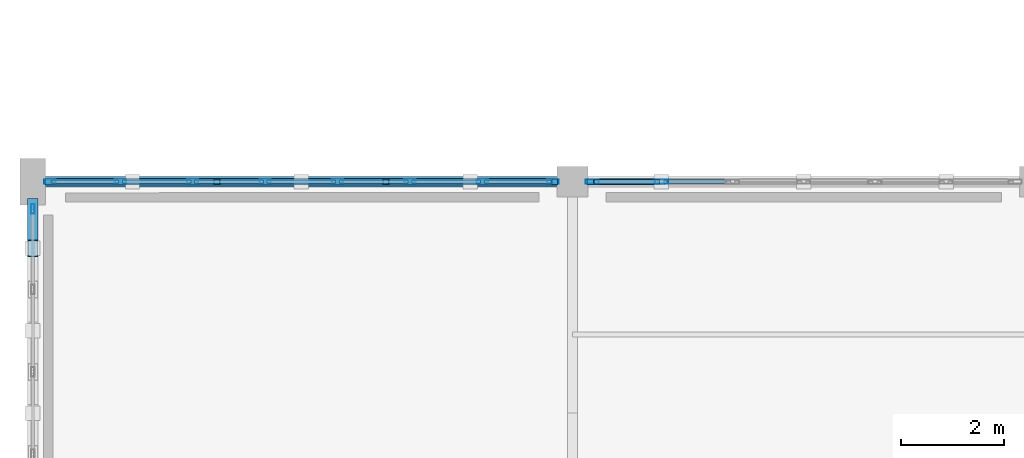
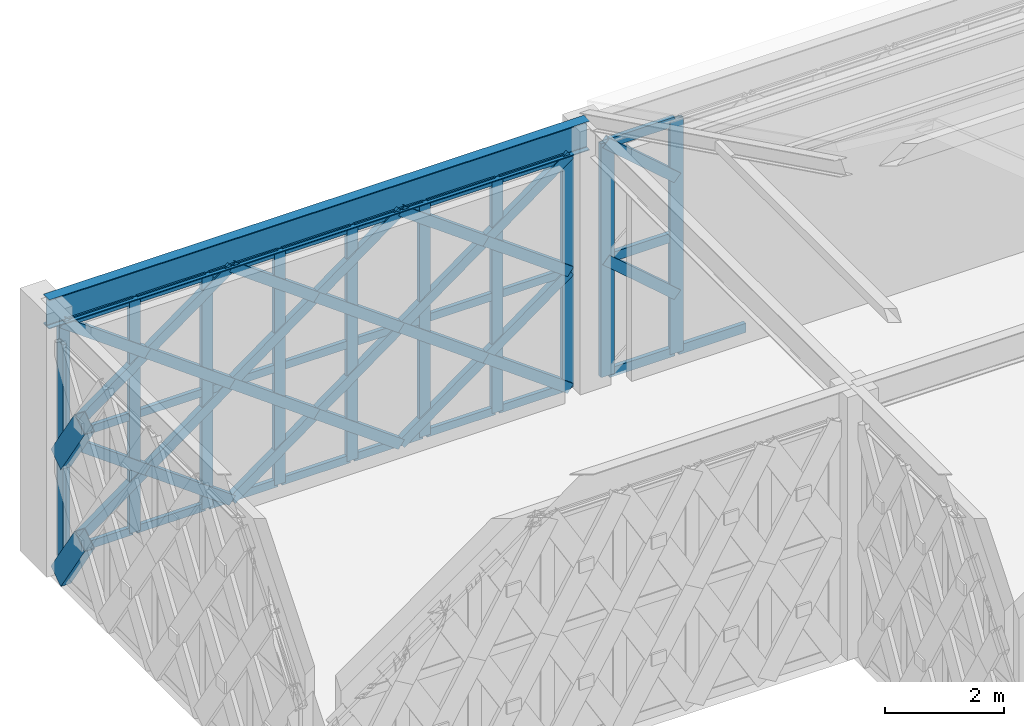
# One storey, part 10 of 32: 58 members, 1 beam, 3 elements without a shape of their own.
"""IFC4 building model written with IfcOpenShell, lengths in metres."""

from ifc_helpers import new_model, si_unit, direction, frame, origin, origin_2d, place, context, subcontext, project, spatial, hollow_rectangle, i_section, extrude, material, material_profile, profile_set, type_object, element, aggregate, save


model = new_model("IFC4")

# Units and contexts
model_context = context("Model", 3, precision=1e-05, world=origin(), true_north=direction((0.0, 1.0)))
body_context = subcontext(model_context, "Body", "Model", "MODEL_VIEW")
ifc_project = project(units=[si_unit("LENGTHUNIT", "METRE"), si_unit("AREAUNIT", "SQUARE_METRE"), si_unit("VOLUMEUNIT", "CUBIC_METRE"), si_unit("PLANEANGLEUNIT", "RADIAN"), si_unit("MASSUNIT", "GRAM", prefix="KILO")], contexts=[model_context])

# Site, building, storey
site_placement = place(None, origin())
site = spatial("IfcSite", under=ifc_project, at=site_placement, CompositionType="ELEMENT")
building_placement = place(site_placement, origin())
building = spatial("IfcBuilding", under=site, at=building_placement, Name="Haizhuo Lancet Aquarium", CompositionType="ELEMENT")
storey_placement = place(building_placement, frame((0.0, 0.0, 27.0)))
storey = spatial("IfcBuildingStorey", under=building, at=storey_placement, Name="L05", CompositionType="ELEMENT", Elevation=27.0)

# Beam
ifc_material_1 = material(Name="Steel S355", Category="steel")
ifc_material_profile_1 = material_profile(ifc_material_1, i_section(OverallWidth=0.199951171875, OverallDepth=0.60009765625, WebThickness=0.010986328125, FlangeThickness=0.01708984375, FilletRadius=0.02197265625, at=origin_2d()), Name="HN 600x200x11x17")
ifc_profile_set_1 = profile_set([ifc_material_profile_1], Name="Steel S355")
beam_type = type_object("IfcBeamType", Name="BM-ST-HN600", PredefinedType="BEAM", material=ifc_profile_set_1)
beam_placement = place(storey_placement, frame((-82.5, -9.0, 5.10009765625), z_axis=(1.0, 0.0, 0.0), x_axis=(0.0, 1.0, 0.0)))
element("IfcBeam", 1, at=beam_placement, inside=storey, type_object=beam_type, Name="L05 V6 primary girder BM-L05-V6-003", PredefinedType="BEAM", context=body_context, shape_type="SweptSolid", body=[
    extrude(i_section(OverallWidth=0.199951171875, OverallDepth=0.60009765625, WebThickness=0.010986328125, FlangeThickness=0.01708984375, FilletRadius=0.02197265625, at=origin_2d()), origin(), (0.0, 0.0, 1.0), 10.5),
])

# Curtain wall, member
ifc_material_2 = material(Name="Aluminium 6063-T6", Category="aluminium")
curtain_wall_type_1 = type_object("IfcCurtainWallType", Name="CWD-8010x4800", PredefinedType="NOTDEFINED", material=ifc_material_2)
curtain_wall_1_placement = place(storey_placement, origin())
curtain_wall_1 = element("IfcCurtainWall", 2, at=curtain_wall_1_placement, inside=storey, type_object=curtain_wall_type_1, Name="L05 curtain wall CW-V6-L05-259", PredefinedType="NOTDEFINED")
ifc_material_profile_2 = material_profile(ifc_material_2, hollow_rectangle(XDim=0.06494140625, YDim=0.179931640625, WallThickness=0.00390625, at=origin_2d()), Name="ALU-M 65x180x4")
ifc_profile_set_2 = profile_set([ifc_material_profile_2], Name="Aluminium 6063-T6")
member_type_1 = type_object("IfcMemberType", Name="CW-MUL-1", PredefinedType="MULLION", material=ifc_profile_set_2)
member_1_placement = place(storey_placement, frame((-82.5, -9.527099609375, 0.0), z_axis=(0.0, 0.0, 1.0), x_axis=(-1.0, 0.0, 0.0)))
member_1 = element("IfcMember", 3, at=member_1_placement, type_object=member_type_1, Name="CWD-80x48 mullion 6", PredefinedType="MULLION", context=body_context, shape_type="SweptSolid", body=[
    extrude(hollow_rectangle(XDim=0.06494140625, YDim=0.179931640625, WallThickness=0.00390625, at=origin_2d()), origin(), (0.0, 0.0, 1.0), 4.800048828125),
])
aggregate(curtain_wall_1, [member_1])

# Curtain wall, members
curtain_wall_type_2 = type_object("IfcCurtainWallType", Name="CWO-9860x4800", PredefinedType="NOTDEFINED", material=ifc_material_2)
curtain_wall_2_placement = place(storey_placement, origin())
curtain_wall_2 = element("IfcCurtainWall", 4, at=curtain_wall_2_placement, inside=storey, type_object=curtain_wall_type_2, Name="L05 curtain wall CW-V6-L05-260", PredefinedType="NOTDEFINED")
ifc_material_profile_3 = material_profile(ifc_material_2, hollow_rectangle(XDim=0.074951171875, YDim=0.219970703125, WallThickness=0.0048828125, at=origin_2d()), Name="ALU-M 75x220x5")
ifc_profile_set_3 = profile_set([ifc_material_profile_3], Name="Aluminium 6063-T6")
member_type_2 = type_object("IfcMemberType", Name="CW-MUL-2", PredefinedType="MULLION", material=ifc_profile_set_3)
member_2_placement = place(storey_placement, frame((-82.16796875, -9.0, 0.0), z_axis=(0.0, 0.0, 1.0), x_axis=(0.0, 1.0, 0.0)))
member_2 = element("IfcMember", 5, at=member_2_placement, type_object=member_type_2, Name="CWO-98x48 mullion 1", PredefinedType="MULLION", context=body_context, shape_type="SweptSolid", body=[
    extrude(hollow_rectangle(XDim=0.074951171875, YDim=0.219970703125, WallThickness=0.0048828125, at=origin_2d()), origin(), (0.0, 0.0, 1.0), 4.800048828125),
])
member_3_placement = place(storey_placement, frame((-80.7958984375, -9.0, 0.0), z_axis=(0.0, 0.0, 1.0), x_axis=(0.0, 1.0, 0.0)))
member_3 = element("IfcMember", 6, at=member_3_placement, type_object=member_type_2, Name="CWO-98x48 mullion 2", PredefinedType="MULLION", context=body_context, shape_type="SweptSolid", body=[
    extrude(hollow_rectangle(XDim=0.074951171875, YDim=0.219970703125, WallThickness=0.0048828125, at=origin_2d()), origin(), (0.0, 0.0, 1.0), 4.800048828125),
])
member_4_placement = place(storey_placement, frame((-79.387939453125, -9.0, 0.0), z_axis=(0.0, 0.0, 1.0), x_axis=(0.0, 1.0, 0.0)))
member_4 = element("IfcMember", 7, at=member_4_placement, type_object=member_type_2, Name="CWO-98x48 mullion 3", PredefinedType="MULLION", context=body_context, shape_type="SweptSolid", body=[
    extrude(hollow_rectangle(XDim=0.074951171875, YDim=0.219970703125, WallThickness=0.0048828125, at=origin_2d()), origin(), (0.0, 0.0, 1.0), 4.800048828125),
])
member_5_placement = place(storey_placement, frame((-77.97900390625, -9.0, 0.0), z_axis=(0.0, 0.0, 1.0), x_axis=(0.0, 1.0, 0.0)))
member_5 = element("IfcMember", 8, at=member_5_placement, type_object=member_type_2, Name="CWO-98x48 mullion 4", PredefinedType="MULLION", context=body_context, shape_type="SweptSolid", body=[
    extrude(hollow_rectangle(XDim=0.074951171875, YDim=0.219970703125, WallThickness=0.0048828125, at=origin_2d()), origin(), (0.0, 0.0, 1.0), 4.800048828125),
])
member_6_placement = place(storey_placement, frame((-76.571044921875, -9.0, 0.0), z_axis=(0.0, 0.0, 1.0), x_axis=(0.0, 1.0, 0.0)))
member_6 = element("IfcMember", 9, at=member_6_placement, type_object=member_type_2, Name="CWO-98x48 mullion 5", PredefinedType="MULLION", context=body_context, shape_type="SweptSolid", body=[
    extrude(hollow_rectangle(XDim=0.074951171875, YDim=0.219970703125, WallThickness=0.0048828125, at=origin_2d()), origin(), (0.0, 0.0, 1.0), 4.800048828125),
])
member_7_placement = place(storey_placement, frame((-75.162109375, -9.0, 0.0), z_axis=(0.0, 0.0, 1.0), x_axis=(0.0, 1.0, 0.0)))
member_7 = element("IfcMember", 10, at=member_7_placement, type_object=member_type_2, Name="CWO-98x48 mullion 6", PredefinedType="MULLION", context=body_context, shape_type="SweptSolid", body=[
    extrude(hollow_rectangle(XDim=0.074951171875, YDim=0.219970703125, WallThickness=0.0048828125, at=origin_2d()), origin(), (0.0, 0.0, 1.0), 4.800048828125),
])
member_8_placement = place(storey_placement, frame((-73.75390625, -9.0, 0.0), z_axis=(0.0, 0.0, 1.0), x_axis=(0.0, 1.0, 0.0)))
member_8 = element("IfcMember", 11, at=member_8_placement, type_object=member_type_2, Name="CWO-98x48 mullion 7", PredefinedType="MULLION", context=body_context, shape_type="SweptSolid", body=[
    extrude(hollow_rectangle(XDim=0.074951171875, YDim=0.219970703125, WallThickness=0.0048828125, at=origin_2d()), origin(), (0.0, 0.0, 1.0), 4.800048828125),
])
member_9_placement = place(storey_placement, frame((-72.382080078125, -9.0, 0.0), z_axis=(0.0, 0.0, 1.0), x_axis=(0.0, 1.0, 0.0)))
member_9 = element("IfcMember", 12, at=member_9_placement, type_object=member_type_2, Name="CWO-98x48 mullion 8", PredefinedType="MULLION", context=body_context, shape_type="SweptSolid", body=[
    extrude(hollow_rectangle(XDim=0.074951171875, YDim=0.219970703125, WallThickness=0.0048828125, at=origin_2d()), origin(), (0.0, 0.0, 1.0), 4.800048828125),
])

curtain_wall_type_3 = type_object("IfcCurtainWallType", Name="CWO-8310x4800", PredefinedType="NOTDEFINED", material=ifc_material_2)
curtain_wall_3_placement = place(storey_placement, origin())
curtain_wall_3 = element("IfcCurtainWall", 13, at=curtain_wall_3_placement, inside=storey, type_object=curtain_wall_type_3, Name="L05 curtain wall CW-V6-L05-261", PredefinedType="NOTDEFINED")
ifc_material_profile_4 = material_profile(ifc_material_2, hollow_rectangle(XDim=0.080078125, YDim=0.260009765625, WallThickness=0.0048828125, at=origin_2d()), Name="ALU-M 80x260x5")
ifc_profile_set_4 = profile_set([ifc_material_profile_4], Name="Aluminium 6063-T6")
member_type_3 = type_object("IfcMemberType", Name="CW-MUL-3", PredefinedType="MULLION", material=ifc_profile_set_4)
member_10_placement = place(storey_placement, frame((-71.614990234375, -9.0, 0.0), z_axis=(0.0, 0.0, 1.0), x_axis=(0.0, 1.0, 0.0)))
member_10 = element("IfcMember", 14, at=member_10_placement, type_object=member_type_3, Name="CWO-83x48 mullion 1", PredefinedType="MULLION", context=body_context, shape_type="SweptSolid", body=[
    extrude(hollow_rectangle(XDim=0.080078125, YDim=0.260009765625, WallThickness=0.0048828125, at=origin_2d()), origin(), (0.0, 0.0, 1.0), 4.800048828125),
])
member_11_placement = place(storey_placement, frame((-70.27001953125, -9.0, 0.0), z_axis=(0.0, 0.0, 1.0), x_axis=(0.0, 1.0, 0.0)))
member_11 = element("IfcMember", 15, at=member_11_placement, type_object=member_type_3, Name="CWO-83x48 mullion 2", PredefinedType="MULLION", context=body_context, shape_type="SweptSolid", body=[
    extrude(hollow_rectangle(XDim=0.080078125, YDim=0.260009765625, WallThickness=0.0048828125, at=origin_2d()), origin(), (0.0, 0.0, 1.0), 4.800048828125),
])

# Member
ifc_material_profile_5 = material_profile(ifc_material_2, hollow_rectangle(XDim=0.074951171875, YDim=0.159912109375, WallThickness=0.00390625, at=origin_2d()), Name="ALU-T 75x160x4")
ifc_profile_set_5 = profile_set([ifc_material_profile_5], Name="Aluminium 6063-T6")
member_type_4 = type_object("IfcMemberType", Name="CW-TRN-2", PredefinedType="NOTDEFINED", material=ifc_profile_set_5)
member_12_placement = place(storey_placement, frame((-82.1298828125, -9.0, 0.0380859375), z_axis=(1.0, 0.0, 0.0), x_axis=(0.0, 1.0, 0.0)))
member_12 = element("IfcMember", 16, at=member_12_placement, type_object=member_type_4, Name="CWO-98x48 transom 1.1", ObjectType="TRANSOM", PredefinedType="USERDEFINED", context=body_context, shape_type="SweptSolid", body=[
    extrude(hollow_rectangle(XDim=0.074951171875, YDim=0.159912109375, WallThickness=0.00390625, at=origin_2d()), origin(), (0.0, 0.0, 1.0), 1.2958984375),
])

member_13_placement = place(storey_placement, frame((-82.1298828125, -9.0, 2.39990234375), z_axis=(1.0, 0.0, 0.0), x_axis=(0.0, 1.0, 0.0)))
member_13 = element("IfcMember", 17, at=member_13_placement, type_object=member_type_4, Name="CWO-98x48 transom 1.2", ObjectType="TRANSOM", PredefinedType="USERDEFINED", context=body_context, shape_type="SweptSolid", body=[
    extrude(hollow_rectangle(XDim=0.074951171875, YDim=0.159912109375, WallThickness=0.00390625, at=origin_2d()), origin(), (0.0, 0.0, 1.0), 1.2958984375),
])

member_14_placement = place(storey_placement, frame((-82.1298828125, -9.0, 4.761962890625), z_axis=(1.0, 0.0, 0.0), x_axis=(0.0, 1.0, 0.0)))
member_14 = element("IfcMember", 18, at=member_14_placement, type_object=member_type_4, Name="CWO-98x48 transom 1.3", ObjectType="TRANSOM", PredefinedType="USERDEFINED", context=body_context, shape_type="SweptSolid", body=[
    extrude(hollow_rectangle(XDim=0.074951171875, YDim=0.159912109375, WallThickness=0.00390625, at=origin_2d()), origin(), (0.0, 0.0, 1.0), 1.2958984375),
])

member_15_placement = place(storey_placement, frame((-80.759033203125, -9.0, 0.0380859375), z_axis=(1.0, 0.0, 0.0), x_axis=(0.0, 1.0, 0.0)))
member_15 = element("IfcMember", 19, at=member_15_placement, type_object=member_type_4, Name="CWO-98x48 transom 2.1", ObjectType="TRANSOM", PredefinedType="USERDEFINED", context=body_context, shape_type="SweptSolid", body=[
    extrude(hollow_rectangle(XDim=0.074951171875, YDim=0.159912109375, WallThickness=0.00390625, at=origin_2d()), origin(), (0.0, 0.0, 1.0), 1.333984375),
])

member_16_placement = place(storey_placement, frame((-80.759033203125, -9.0, 2.39990234375), z_axis=(1.0, 0.0, 0.0), x_axis=(0.0, 1.0, 0.0)))
member_16 = element("IfcMember", 20, at=member_16_placement, type_object=member_type_4, Name="CWO-98x48 transom 2.2", ObjectType="TRANSOM", PredefinedType="USERDEFINED", context=body_context, shape_type="SweptSolid", body=[
    extrude(hollow_rectangle(XDim=0.074951171875, YDim=0.159912109375, WallThickness=0.00390625, at=origin_2d()), origin(), (0.0, 0.0, 1.0), 1.333984375),
])

member_17_placement = place(storey_placement, frame((-80.759033203125, -9.0, 4.761962890625), z_axis=(1.0, 0.0, 0.0), x_axis=(0.0, 1.0, 0.0)))
member_17 = element("IfcMember", 21, at=member_17_placement, type_object=member_type_4, Name="CWO-98x48 transom 2.3", ObjectType="TRANSOM", PredefinedType="USERDEFINED", context=body_context, shape_type="SweptSolid", body=[
    extrude(hollow_rectangle(XDim=0.074951171875, YDim=0.159912109375, WallThickness=0.00390625, at=origin_2d()), origin(), (0.0, 0.0, 1.0), 1.333984375),
])

member_18_placement = place(storey_placement, frame((-79.35009765625, -9.0, 0.0380859375), z_axis=(1.0, 0.0, 0.0), x_axis=(0.0, 1.0, 0.0)))
member_18 = element("IfcMember", 22, at=member_18_placement, type_object=member_type_4, Name="CWO-98x48 transom 3.1", ObjectType="TRANSOM", PredefinedType="USERDEFINED", context=body_context, shape_type="SweptSolid", body=[
    extrude(hollow_rectangle(XDim=0.074951171875, YDim=0.159912109375, WallThickness=0.00390625, at=origin_2d()), origin(), (0.0, 0.0, 1.0), 1.3330078125),
])

member_19_placement = place(storey_placement, frame((-79.35009765625, -9.0, 2.39990234375), z_axis=(1.0, 0.0, 0.0), x_axis=(0.0, 1.0, 0.0)))
member_19 = element("IfcMember", 23, at=member_19_placement, type_object=member_type_4, Name="CWO-98x48 transom 3.2", ObjectType="TRANSOM", PredefinedType="USERDEFINED", context=body_context, shape_type="SweptSolid", body=[
    extrude(hollow_rectangle(XDim=0.074951171875, YDim=0.159912109375, WallThickness=0.00390625, at=origin_2d()), origin(), (0.0, 0.0, 1.0), 1.3330078125),
])

member_20_placement = place(storey_placement, frame((-79.35009765625, -9.0, 4.761962890625), z_axis=(1.0, 0.0, 0.0), x_axis=(0.0, 1.0, 0.0)))
member_20 = element("IfcMember", 24, at=member_20_placement, type_object=member_type_4, Name="CWO-98x48 transom 3.3", ObjectType="TRANSOM", PredefinedType="USERDEFINED", context=body_context, shape_type="SweptSolid", body=[
    extrude(hollow_rectangle(XDim=0.074951171875, YDim=0.159912109375, WallThickness=0.00390625, at=origin_2d()), origin(), (0.0, 0.0, 1.0), 1.3330078125),
])

member_21_placement = place(storey_placement, frame((-77.94189453125, -9.0, 0.0380859375), z_axis=(1.0, 0.0, 0.0), x_axis=(0.0, 1.0, 0.0)))
member_21 = element("IfcMember", 25, at=member_21_placement, type_object=member_type_4, Name="CWO-98x48 transom 4.1", ObjectType="TRANSOM", PredefinedType="USERDEFINED", context=body_context, shape_type="SweptSolid", body=[
    extrude(hollow_rectangle(XDim=0.074951171875, YDim=0.159912109375, WallThickness=0.00390625, at=origin_2d()), origin(), (0.0, 0.0, 1.0), 1.333984375),
])

member_22_placement = place(storey_placement, frame((-77.94189453125, -9.0, 2.39990234375), z_axis=(1.0, 0.0, 0.0), x_axis=(0.0, 1.0, 0.0)))
member_22 = element("IfcMember", 26, at=member_22_placement, type_object=member_type_4, Name="CWO-98x48 transom 4.2", ObjectType="TRANSOM", PredefinedType="USERDEFINED", context=body_context, shape_type="SweptSolid", body=[
    extrude(hollow_rectangle(XDim=0.074951171875, YDim=0.159912109375, WallThickness=0.00390625, at=origin_2d()), origin(), (0.0, 0.0, 1.0), 1.333984375),
])

member_23_placement = place(storey_placement, frame((-77.94189453125, -9.0, 4.761962890625), z_axis=(1.0, 0.0, 0.0), x_axis=(0.0, 1.0, 0.0)))
member_23 = element("IfcMember", 27, at=member_23_placement, type_object=member_type_4, Name="CWO-98x48 transom 4.3", ObjectType="TRANSOM", PredefinedType="USERDEFINED", context=body_context, shape_type="SweptSolid", body=[
    extrude(hollow_rectangle(XDim=0.074951171875, YDim=0.159912109375, WallThickness=0.00390625, at=origin_2d()), origin(), (0.0, 0.0, 1.0), 1.333984375),
])

member_24_placement = place(storey_placement, frame((-76.532958984375, -9.0, 0.0380859375), z_axis=(1.0, 0.0, 0.0), x_axis=(0.0, 1.0, 0.0)))
member_24 = element("IfcMember", 28, at=member_24_placement, type_object=member_type_4, Name="CWO-98x48 transom 5.1", ObjectType="TRANSOM", PredefinedType="USERDEFINED", context=body_context, shape_type="SweptSolid", body=[
    extrude(hollow_rectangle(XDim=0.074951171875, YDim=0.159912109375, WallThickness=0.00390625, at=origin_2d()), origin(), (0.0, 0.0, 1.0), 1.3330078125),
])

member_25_placement = place(storey_placement, frame((-76.532958984375, -9.0, 2.39990234375), z_axis=(1.0, 0.0, 0.0), x_axis=(0.0, 1.0, 0.0)))
member_25 = element("IfcMember", 29, at=member_25_placement, type_object=member_type_4, Name="CWO-98x48 transom 5.2", ObjectType="TRANSOM", PredefinedType="USERDEFINED", context=body_context, shape_type="SweptSolid", body=[
    extrude(hollow_rectangle(XDim=0.074951171875, YDim=0.159912109375, WallThickness=0.00390625, at=origin_2d()), origin(), (0.0, 0.0, 1.0), 1.3330078125),
])

member_26_placement = place(storey_placement, frame((-76.532958984375, -9.0, 4.761962890625), z_axis=(1.0, 0.0, 0.0), x_axis=(0.0, 1.0, 0.0)))
member_26 = element("IfcMember", 30, at=member_26_placement, type_object=member_type_4, Name="CWO-98x48 transom 5.3", ObjectType="TRANSOM", PredefinedType="USERDEFINED", context=body_context, shape_type="SweptSolid", body=[
    extrude(hollow_rectangle(XDim=0.074951171875, YDim=0.159912109375, WallThickness=0.00390625, at=origin_2d()), origin(), (0.0, 0.0, 1.0), 1.3330078125),
])

member_27_placement = place(storey_placement, frame((-75.125, -9.0, 0.0380859375), z_axis=(1.0, 0.0, 0.0), x_axis=(0.0, 1.0, 0.0)))
member_27 = element("IfcMember", 31, at=member_27_placement, type_object=member_type_4, Name="CWO-98x48 transom 6.1", ObjectType="TRANSOM", PredefinedType="USERDEFINED", context=body_context, shape_type="SweptSolid", body=[
    extrude(hollow_rectangle(XDim=0.074951171875, YDim=0.159912109375, WallThickness=0.00390625, at=origin_2d()), origin(), (0.0, 0.0, 1.0), 1.333984375),
])

member_28_placement = place(storey_placement, frame((-75.125, -9.0, 2.39990234375), z_axis=(1.0, 0.0, 0.0), x_axis=(0.0, 1.0, 0.0)))
member_28 = element("IfcMember", 32, at=member_28_placement, type_object=member_type_4, Name="CWO-98x48 transom 6.2", ObjectType="TRANSOM", PredefinedType="USERDEFINED", context=body_context, shape_type="SweptSolid", body=[
    extrude(hollow_rectangle(XDim=0.074951171875, YDim=0.159912109375, WallThickness=0.00390625, at=origin_2d()), origin(), (0.0, 0.0, 1.0), 1.333984375),
])

member_29_placement = place(storey_placement, frame((-75.125, -9.0, 4.761962890625), z_axis=(1.0, 0.0, 0.0), x_axis=(0.0, 1.0, 0.0)))
member_29 = element("IfcMember", 33, at=member_29_placement, type_object=member_type_4, Name="CWO-98x48 transom 6.3", ObjectType="TRANSOM", PredefinedType="USERDEFINED", context=body_context, shape_type="SweptSolid", body=[
    extrude(hollow_rectangle(XDim=0.074951171875, YDim=0.159912109375, WallThickness=0.00390625, at=origin_2d()), origin(), (0.0, 0.0, 1.0), 1.333984375),
])

member_30_placement = place(storey_placement, frame((-73.716064453125, -9.0, 0.0380859375), z_axis=(1.0, 0.0, 0.0), x_axis=(0.0, 1.0, 0.0)))
member_30 = element("IfcMember", 34, at=member_30_placement, type_object=member_type_4, Name="CWO-98x48 transom 7.1", ObjectType="TRANSOM", PredefinedType="USERDEFINED", context=body_context, shape_type="SweptSolid", body=[
    extrude(hollow_rectangle(XDim=0.074951171875, YDim=0.159912109375, WallThickness=0.00390625, at=origin_2d()), origin(), (0.0, 0.0, 1.0), 1.296142578125),
])

member_31_placement = place(storey_placement, frame((-73.716064453125, -9.0, 2.39990234375), z_axis=(1.0, 0.0, 0.0), x_axis=(0.0, 1.0, 0.0)))
member_31 = element("IfcMember", 35, at=member_31_placement, type_object=member_type_4, Name="CWO-98x48 transom 7.2", ObjectType="TRANSOM", PredefinedType="USERDEFINED", context=body_context, shape_type="SweptSolid", body=[
    extrude(hollow_rectangle(XDim=0.074951171875, YDim=0.159912109375, WallThickness=0.00390625, at=origin_2d()), origin(), (0.0, 0.0, 1.0), 1.296142578125),
])

member_32_placement = place(storey_placement, frame((-73.716064453125, -9.0, 4.761962890625), z_axis=(1.0, 0.0, 0.0), x_axis=(0.0, 1.0, 0.0)))
member_32 = element("IfcMember", 36, at=member_32_placement, type_object=member_type_4, Name="CWO-98x48 transom 7.3", ObjectType="TRANSOM", PredefinedType="USERDEFINED", context=body_context, shape_type="SweptSolid", body=[
    extrude(hollow_rectangle(XDim=0.074951171875, YDim=0.159912109375, WallThickness=0.00390625, at=origin_2d()), origin(), (0.0, 0.0, 1.0), 1.296142578125),
])

aggregate(curtain_wall_2, [member_2, member_3, member_4, member_5, member_6, member_7, member_8, member_9, member_12, member_13, member_14, member_15, member_16, member_17, member_18, member_19, member_20, member_21, member_22, member_23, member_24, member_25, member_26, member_27, member_28, member_29, member_30, member_31, member_32])

ifc_material_profile_6 = material_profile(ifc_material_2, hollow_rectangle(XDim=0.080078125, YDim=0.18994140625, WallThickness=0.0048828125, at=origin_2d()), Name="ALU-T 80x190x5")
ifc_profile_set_6 = profile_set([ifc_material_profile_6], Name="Aluminium 6063-T6")
member_type_5 = type_object("IfcMemberType", Name="CW-TRN-3", PredefinedType="NOTDEFINED", material=ifc_profile_set_6)
member_33_placement = place(storey_placement, frame((-71.574951171875, -9.0, 0.0400390625), z_axis=(1.0, 0.0, 0.0), x_axis=(0.0, 1.0, 0.0)))
member_33 = element("IfcMember", 37, at=member_33_placement, type_object=member_type_5, Name="CWO-83x48 transom 1.1", ObjectType="TRANSOM", PredefinedType="USERDEFINED", context=body_context, shape_type="SweptSolid", body=[
    extrude(hollow_rectangle(XDim=0.080078125, YDim=0.18994140625, WallThickness=0.0048828125, at=origin_2d()), origin(), (0.0, 0.0, 1.0), 1.264892578125),
])

member_34_placement = place(storey_placement, frame((-71.574951171875, -9.0, 2.39990234375), z_axis=(1.0, 0.0, 0.0), x_axis=(0.0, 1.0, 0.0)))
member_34 = element("IfcMember", 38, at=member_34_placement, type_object=member_type_5, Name="CWO-83x48 transom 1.2", ObjectType="TRANSOM", PredefinedType="USERDEFINED", context=body_context, shape_type="SweptSolid", body=[
    extrude(hollow_rectangle(XDim=0.080078125, YDim=0.18994140625, WallThickness=0.0048828125, at=origin_2d()), origin(), (0.0, 0.0, 1.0), 1.264892578125),
])

member_35_placement = place(storey_placement, frame((-71.574951171875, -9.0, 4.760009765625), z_axis=(1.0, 0.0, 0.0), x_axis=(0.0, 1.0, 0.0)))
member_35 = element("IfcMember", 39, at=member_35_placement, type_object=member_type_5, Name="CWO-83x48 transom 1.3", ObjectType="TRANSOM", PredefinedType="USERDEFINED", context=body_context, shape_type="SweptSolid", body=[
    extrude(hollow_rectangle(XDim=0.080078125, YDim=0.18994140625, WallThickness=0.0048828125, at=origin_2d()), origin(), (0.0, 0.0, 1.0), 1.264892578125),
])

member_36_placement = place(storey_placement, frame((-70.22998046875, -9.0, 0.0400390625), z_axis=(1.0, 0.0, 0.0), x_axis=(0.0, 1.0, 0.0)))
member_36 = element("IfcMember", 40, at=member_36_placement, type_object=member_type_5, Name="CWO-83x48 transom 2.1", ObjectType="TRANSOM", PredefinedType="USERDEFINED", context=body_context, shape_type="SweptSolid", body=[
    extrude(hollow_rectangle(XDim=0.080078125, YDim=0.18994140625, WallThickness=0.0048828125, at=origin_2d()), origin(), (0.0, 0.0, 1.0), 1.304931640625),
])

aggregate(curtain_wall_3, [member_10, member_11, member_33, member_34, member_35, member_36])

# Members
ifc_material_profile_7 = material_profile(ifc_material_1, hollow_rectangle(XDim=0.1201171875, YDim=0.199951171875, WallThickness=0.008056640625, at=origin_2d()), Name="RHS 120x200x8")
ifc_profile_set_7 = profile_set([ifc_material_profile_7], Name="Steel S355")
member_type_6 = type_object("IfcMemberType", Name="MEM-LB-RHS120x200", PredefinedType="BRACE", material=ifc_profile_set_7)
member_37_placement = place(storey_placement, frame((-82.205078125, -9.0, 0.0), z_axis=(0.807650424051, 0.0, 0.589661591534), x_axis=(0.0, 1.0, 0.0)))
element("IfcMember", 41, at=member_37_placement, inside=storey, type_object=member_type_6, Name="Gothic lancet continuous diagonal brace CW-V6-L05-260 1A", PredefinedType="BRACE", context=body_context, shape_type="SweptSolid", body=[
    extrude(hollow_rectangle(XDim=0.1201171875, YDim=0.199951171875, WallThickness=0.008056640625, at=origin_2d()), origin(), (0.0, 0.0, 1.0), 4.070068359375),
])
member_38_placement = place(storey_placement, frame((-78.91796875, -9.0, 0.0), z_axis=(-0.807566971186, 0.0, 0.58977587866), x_axis=(0.0, -1.0, 0.0)))
element("IfcMember", 42, at=member_38_placement, inside=storey, type_object=member_type_6, Name="Gothic lancet split diagonal brace CW-V6-L05-260 1B1", PredefinedType="BRACE", context=body_context, shape_type="SweptSolid", body=[
    extrude(hollow_rectangle(XDim=0.1201171875, YDim=0.199951171875, WallThickness=0.008056640625, at=origin_2d()), origin(), (0.0, 0.0, 1.0), 2.03466796875),
])
member_39_placement = place(storey_placement, frame((-80.56103515625, -9.0, 1.199951171875), z_axis=(-0.807733828412, 0.0, 0.589547336894), x_axis=(0.0, -1.0, 0.0)))
element("IfcMember", 43, at=member_39_placement, inside=storey, type_object=member_type_6, Name="Gothic lancet split diagonal brace CW-V6-L05-260 1B2", PredefinedType="BRACE", context=body_context, shape_type="SweptSolid", body=[
    extrude(hollow_rectangle(XDim=0.1201171875, YDim=0.199951171875, WallThickness=0.008056640625, at=origin_2d()), origin(), (0.0, 0.0, 1.0), 2.035400390625),
])
member_40_placement = place(storey_placement, frame((-82.205078125, -9.0, 2.39990234375), z_axis=(0.807621856393, 0.0, 0.589700718226), x_axis=(0.0, 1.0, 0.0)))
element("IfcMember", 44, at=member_40_placement, inside=storey, type_object=member_type_6, Name="Gothic lancet continuous diagonal brace CW-V6-L05-260 2A", PredefinedType="BRACE", context=body_context, shape_type="SweptSolid", body=[
    extrude(hollow_rectangle(XDim=0.1201171875, YDim=0.199951171875, WallThickness=0.008056640625, at=origin_2d()), origin(), (0.0, 0.0, 1.0), 4.070068359375),
])
member_41_placement = place(storey_placement, frame((-78.91796875, -9.0, 2.39990234375), z_axis=(-0.807509819755, 0.0, 0.589854126882), x_axis=(0.0, -1.0, 0.0)))
element("IfcMember", 45, at=member_41_placement, inside=storey, type_object=member_type_6, Name="Gothic lancet split diagonal brace CW-V6-L05-260 2B1", PredefinedType="BRACE", context=body_context, shape_type="SweptSolid", body=[
    extrude(hollow_rectangle(XDim=0.1201171875, YDim=0.199951171875, WallThickness=0.008056640625, at=origin_2d()), origin(), (0.0, 0.0, 1.0), 2.03466796875),
])
member_42_placement = place(storey_placement, frame((-80.56103515625, -9.0, 3.60009765625), z_axis=(-0.807733828412, 0.0, 0.589547336894), x_axis=(0.0, -1.0, 0.0)))
element("IfcMember", 46, at=member_42_placement, inside=storey, type_object=member_type_6, Name="Gothic lancet split diagonal brace CW-V6-L05-260 2B2", PredefinedType="BRACE", context=body_context, shape_type="SweptSolid", body=[
    extrude(hollow_rectangle(XDim=0.1201171875, YDim=0.199951171875, WallThickness=0.008056640625, at=origin_2d()), origin(), (0.0, 0.0, 1.0), 2.035400390625),
])
member_43_placement = place(storey_placement, frame((-78.91796875, -9.0, 0.0), z_axis=(0.807546100388, 0.0, 0.589804455518), x_axis=(0.0, 1.0, 0.0)))
element("IfcMember", 47, at=member_43_placement, inside=storey, type_object=member_type_6, Name="Gothic lancet continuous diagonal brace CW-V6-L05-260 3A", PredefinedType="BRACE", context=body_context, shape_type="SweptSolid", body=[
    extrude(hollow_rectangle(XDim=0.1201171875, YDim=0.199951171875, WallThickness=0.008056640625, at=origin_2d()), origin(), (0.0, 0.0, 1.0), 4.069091796875),
])
member_44_placement = place(storey_placement, frame((-75.632080078125, -9.0, 0.0), z_axis=(-0.807525226555, 0.0, 0.589833034406), x_axis=(0.0, -1.0, 0.0)))
element("IfcMember", 48, at=member_44_placement, inside=storey, type_object=member_type_6, Name="Gothic lancet split diagonal brace CW-V6-L05-260 3B1", PredefinedType="BRACE", context=body_context, shape_type="SweptSolid", body=[
    extrude(hollow_rectangle(XDim=0.1201171875, YDim=0.199951171875, WallThickness=0.008056640625, at=origin_2d()), origin(), (0.0, 0.0, 1.0), 2.034423828125),
])
member_45_placement = place(storey_placement, frame((-77.27490234375, -9.0, 1.199951171875), z_axis=(-0.807566971186, 0.0, 0.58977587866), x_axis=(0.0, -1.0, 0.0)))
element("IfcMember", 49, at=member_45_placement, inside=storey, type_object=member_type_6, Name="Gothic lancet split diagonal brace CW-V6-L05-260 3B2", PredefinedType="BRACE", context=body_context, shape_type="SweptSolid", body=[
    extrude(hollow_rectangle(XDim=0.1201171875, YDim=0.199951171875, WallThickness=0.008056640625, at=origin_2d()), origin(), (0.0, 0.0, 1.0), 2.03466796875),
])
member_46_placement = place(storey_placement, frame((-78.91796875, -9.0, 2.39990234375), z_axis=(0.807517522578, 0.0, 0.589843581579), x_axis=(0.0, 1.0, 0.0)))
element("IfcMember", 50, at=member_46_placement, inside=storey, type_object=member_type_6, Name="Gothic lancet continuous diagonal brace CW-V6-L05-260 4A", PredefinedType="BRACE", context=body_context, shape_type="SweptSolid", body=[
    extrude(hollow_rectangle(XDim=0.1201171875, YDim=0.199951171875, WallThickness=0.008056640625, at=origin_2d()), origin(), (0.0, 0.0, 1.0), 4.069091796875),
])
member_47_placement = place(storey_placement, frame((-75.632080078125, -9.0, 2.39990234375), z_axis=(-0.807468067002, 0.0, 0.58991128212), x_axis=(0.0, -1.0, 0.0)))
element("IfcMember", 51, at=member_47_placement, inside=storey, type_object=member_type_6, Name="Gothic lancet split diagonal brace CW-V6-L05-260 4B1", PredefinedType="BRACE", context=body_context, shape_type="SweptSolid", body=[
    extrude(hollow_rectangle(XDim=0.1201171875, YDim=0.199951171875, WallThickness=0.008056640625, at=origin_2d()), origin(), (0.0, 0.0, 1.0), 2.034423828125),
])
member_48_placement = place(storey_placement, frame((-77.27490234375, -9.0, 3.60009765625), z_axis=(-0.807566971186, 0.0, 0.58977587866), x_axis=(0.0, -1.0, 0.0)))
element("IfcMember", 52, at=member_48_placement, inside=storey, type_object=member_type_6, Name="Gothic lancet split diagonal brace CW-V6-L05-260 4B2", PredefinedType="BRACE", context=body_context, shape_type="SweptSolid", body=[
    extrude(hollow_rectangle(XDim=0.1201171875, YDim=0.199951171875, WallThickness=0.008056640625, at=origin_2d()), origin(), (0.0, 0.0, 1.0), 2.03466796875),
])
member_49_placement = place(storey_placement, frame((-75.632080078125, -9.0, 0.0), z_axis=(0.807650424051, 0.0, 0.589661591534), x_axis=(0.0, 1.0, 0.0)))
element("IfcMember", 53, at=member_49_placement, inside=storey, type_object=member_type_6, Name="Gothic lancet continuous diagonal brace CW-V6-L05-260 5A", PredefinedType="BRACE", context=body_context, shape_type="SweptSolid", body=[
    extrude(hollow_rectangle(XDim=0.1201171875, YDim=0.199951171875, WallThickness=0.008056640625, at=origin_2d()), origin(), (0.0, 0.0, 1.0), 4.070068359375),
])
member_50_placement = place(storey_placement, frame((-72.344970703125, -9.0, 0.0), z_axis=(-0.807733828412, 0.0, 0.589547336894), x_axis=(0.0, -1.0, 0.0)))
element("IfcMember", 54, at=member_50_placement, inside=storey, type_object=member_type_6, Name="Gothic lancet split diagonal brace CW-V6-L05-260 5B1", PredefinedType="BRACE", context=body_context, shape_type="SweptSolid", body=[
    extrude(hollow_rectangle(XDim=0.1201171875, YDim=0.199951171875, WallThickness=0.008056640625, at=origin_2d()), origin(), (0.0, 0.0, 1.0), 2.035400390625),
])
member_51_placement = place(storey_placement, frame((-73.989013671875, -9.0, 1.199951171875), z_axis=(-0.807566971186, 0.0, 0.58977587866), x_axis=(0.0, -1.0, 0.0)))
element("IfcMember", 55, at=member_51_placement, inside=storey, type_object=member_type_6, Name="Gothic lancet split diagonal brace CW-V6-L05-260 5B2", PredefinedType="BRACE", context=body_context, shape_type="SweptSolid", body=[
    extrude(hollow_rectangle(XDim=0.1201171875, YDim=0.199951171875, WallThickness=0.008056640625, at=origin_2d()), origin(), (0.0, 0.0, 1.0), 2.03466796875),
])
member_52_placement = place(storey_placement, frame((-75.632080078125, -9.0, 2.39990234375), z_axis=(0.807621856393, 0.0, 0.589700718226), x_axis=(0.0, 1.0, 0.0)))
element("IfcMember", 56, at=member_52_placement, inside=storey, type_object=member_type_6, Name="Gothic lancet continuous diagonal brace CW-V6-L05-260 6A", PredefinedType="BRACE", context=body_context, shape_type="SweptSolid", body=[
    extrude(hollow_rectangle(XDim=0.1201171875, YDim=0.199951171875, WallThickness=0.008056640625, at=origin_2d()), origin(), (0.0, 0.0, 1.0), 4.070068359375),
])
member_53_placement = place(storey_placement, frame((-72.344970703125, -9.0, 2.39990234375), z_axis=(-0.807676709461, 0.0, 0.589625587127), x_axis=(0.0, -1.0, 0.0)))
element("IfcMember", 57, at=member_53_placement, inside=storey, type_object=member_type_6, Name="Gothic lancet split diagonal brace CW-V6-L05-260 6B1", PredefinedType="BRACE", context=body_context, shape_type="SweptSolid", body=[
    extrude(hollow_rectangle(XDim=0.1201171875, YDim=0.199951171875, WallThickness=0.008056640625, at=origin_2d()), origin(), (0.0, 0.0, 1.0), 2.035400390625),
])
member_54_placement = place(storey_placement, frame((-73.989013671875, -9.0, 3.60009765625), z_axis=(-0.807566971186, 0.0, 0.58977587866), x_axis=(0.0, -1.0, 0.0)))
element("IfcMember", 58, at=member_54_placement, inside=storey, type_object=member_type_6, Name="Gothic lancet split diagonal brace CW-V6-L05-260 6B2", PredefinedType="BRACE", context=body_context, shape_type="SweptSolid", body=[
    extrude(hollow_rectangle(XDim=0.1201171875, YDim=0.199951171875, WallThickness=0.008056640625, at=origin_2d()), origin(), (0.0, 0.0, 1.0), 2.03466796875),
])
for number, where, z_axis, x_axis, name in (
    (59, (-70.27001953125, -9.0, 1.199951171875), (-0.755794572232, 0.0, 0.654808800021), (0.0, -1.0, 0.0), "Gothic lancet split diagonal brace CW-V6-L05-261 1B2"),
    (60, (-70.27001953125, -9.0, 3.60009765625), (-0.755794572232, 0.0, 0.654808800021), (0.0, -1.0, 0.0), "Gothic lancet split diagonal brace CW-V6-L05-261 2B2"),
):
    element("IfcMember", number, at=place(storey_placement, frame(where, z_axis=z_axis, x_axis=x_axis)), inside=storey, type_object=member_type_6, Name=name, PredefinedType="BRACE", context=body_context, shape_type="SweptSolid", body=[
        extrude(hollow_rectangle(XDim=0.1201171875, YDim=0.199951171875, WallThickness=0.008056640625, at=origin_2d()), origin(), (0.0, 0.0, 1.0), 1.83251953125),
    ])
ifc_material_profile_8 = material_profile(ifc_material_1, hollow_rectangle(XDim=0.199951171875, YDim=0.39990234375, WallThickness=0.011962890625, at=origin_2d()), Name="RHS 200x400x12")
ifc_profile_set_8 = profile_set([ifc_material_profile_8], Name="Steel S355")
member_type_7 = type_object("IfcMemberType", Name="MEM-LB-RHS200x400", PredefinedType="BRACE", material=ifc_profile_set_8)
member_55_placement = place(storey_placement, frame((-82.5, -9.4951171875, 0.0), z_axis=(0.0, -0.555090677343, 0.831789841202), x_axis=(1.0, 0.0, 0.0)))
element("IfcMember", 61, at=member_55_placement, inside=storey, type_object=member_type_7, Name="Gothic lancet split diagonal brace CW-V6-L05-259 9B1", PredefinedType="BRACE", context=body_context, shape_type="SweptSolid", body=[
    extrude(hollow_rectangle(XDim=0.199951171875, YDim=0.39990234375, WallThickness=0.011962890625, at=origin_2d()), origin(), (0.0, 0.0, 1.0), 1.442626953125),
])
member_56_placement = place(storey_placement, frame((-82.5, -9.4951171875, 2.39990234375), z_axis=(0.0, -0.555012546931, 0.831841975828), x_axis=(1.0, 0.0, 0.0)))
element("IfcMember", 62, at=member_56_placement, inside=storey, type_object=member_type_7, Name="Gothic lancet split diagonal brace CW-V6-L05-259 10B1", PredefinedType="BRACE", context=body_context, shape_type="SweptSolid", body=[
    extrude(hollow_rectangle(XDim=0.199951171875, YDim=0.39990234375, WallThickness=0.011962890625, at=origin_2d()), origin(), (0.0, 0.0, 1.0), 1.44287109375),
])

save(model, "model.ifc")
